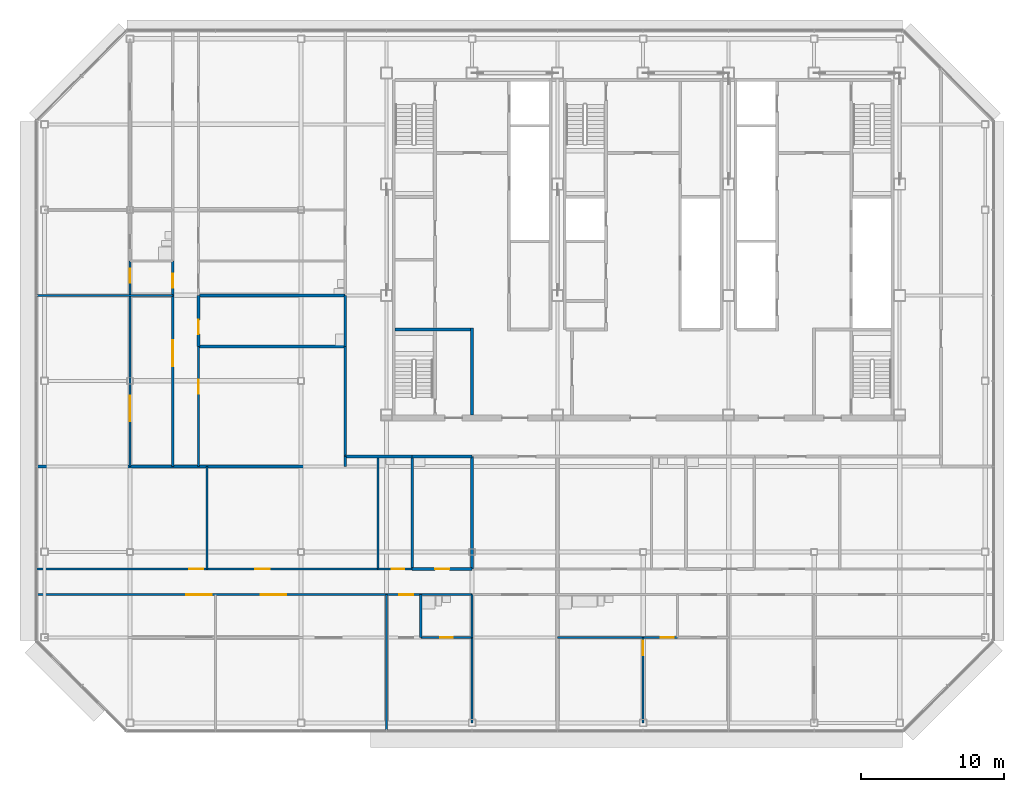
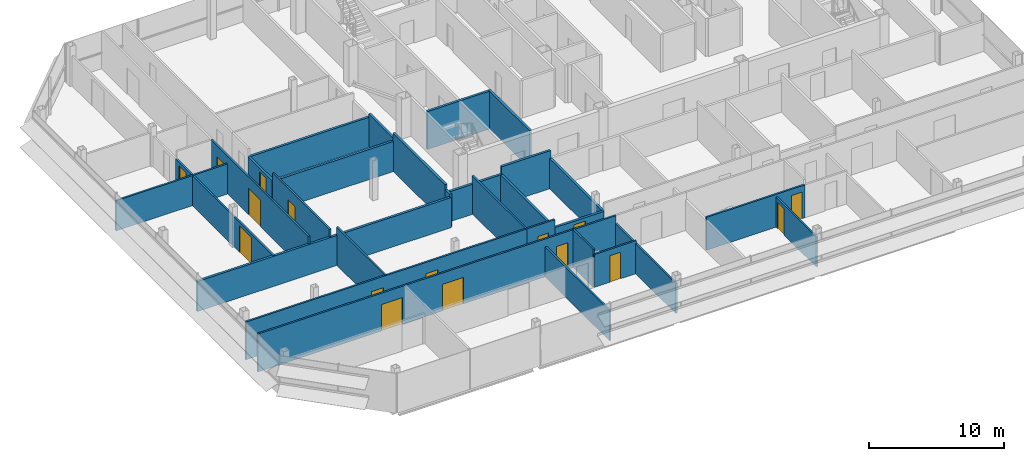
# One storey, part 21 of 27: 31 walls, 16 doors, 16 openings.
"""IFC4 building model written with IfcOpenShell, lengths in metres."""

from ifc_helpers import new_model, si_unit, direction, frame, frame_2d, origin, place, context, subcontext, project, spatial, rectangle, extrude, material, layer, layer_set, type_object, element, fill, save


model = new_model("IFC4")

# Units and contexts
model_context = context("Model", 3, precision=1e-05, world=origin(), true_north=direction((0.0, 1.0)))
body_context = subcontext(model_context, "Body", "Model", "MODEL_VIEW")
ifc_project = project(units=[si_unit("LENGTHUNIT", "METRE"), si_unit("AREAUNIT", "SQUARE_METRE"), si_unit("VOLUMEUNIT", "CUBIC_METRE"), si_unit("PLANEANGLEUNIT", "RADIAN"), si_unit("MASSUNIT", "GRAM", prefix="KILO")], contexts=[model_context])

# Site, building, storey
site_placement = place(None, origin())
site = spatial("IfcSite", under=ifc_project, at=site_placement, CompositionType="ELEMENT")
building_placement = place(site_placement, origin())
building = spatial("IfcBuilding", under=site, at=building_placement, Name="Sorahane Residences", CompositionType="ELEMENT")
storey_placement = place(building_placement, frame((0.0, 0.0, 323.199951171875)))
storey = spatial("IfcBuildingStorey", under=building, at=storey_placement, Name="L77", CompositionType="ELEMENT", Elevation=323.199951171875)

# Walls
ifc_material_1 = material(Name="Concrete blockwork C20 wall", Category="masonry")
ifc_layer_1 = layer(ifc_material_1, 0.199951171875)
ifc_layer_set_1 = layer_set([ifc_layer_1], Name="Corridor wall 200 EI 120")
wall_type_1 = type_object("IfcWallType", Name="Corridor wall 200 EI 120", PredefinedType="SOLIDWALL", material=ifc_layer_set_1)
wall_1_placement = place(storey_placement, frame((3.10009765625, 18.699951171875, 0.0), z_axis=(0.0, 0.0, 1.0), x_axis=(0.0, 1.0, 0.0)))
element("IfcWall", 1, at=wall_1_placement, inside=storey, type_object=wall_type_1, Name="L77 corridor wall", PredefinedType="SOLIDWALL", context=body_context, shape_type="SweptSolid", body=[
    extrude(rectangle(XDim=7.699951171875, YDim=0.199951171875, at=frame_2d((3.85009765625, 0.0))), origin(), (0.0, 0.0, 1.0), 3.420166015625),
])
wall_2_placement = place(storey_placement, frame((3.10009765625, 18.699951171875, 0.0), z_axis=(0.0, 0.0, 1.0), x_axis=(1.0, 0.0, 0.0)))
element("IfcWall", 2, at=wall_2_placement, inside=storey, type_object=wall_type_1, Name="L77 corridor wall", PredefinedType="SOLIDWALL", context=body_context, shape_type="SweptSolid", body=[
    extrude(rectangle(XDim=4.699951171875, YDim=0.199951171875, at=frame_2d((2.35009765625, 0.0))), origin(), (0.0, 0.0, 1.0), 2.719970703125),
])
ifc_material_2 = material(Name="Concrete C30", Category="concrete")
ifc_layer_2 = layer(ifc_material_2, 0.199951171875)
ifc_layer_set_2 = layer_set([ifc_layer_2], Name="Front room wall 200 EI 120")
wall_type_2 = type_object("IfcWallType", Name="Front room wall 200 EI 120", PredefinedType="PARTITIONING", material=ifc_layer_set_2)
wall_3_placement = place(storey_placement, frame((12.0, 21.60009765625, 0.0), z_axis=(0.0, 0.0, 1.0), x_axis=(0.0, 1.0, 0.0)))
element("IfcWall", 3, at=wall_3_placement, inside=storey, type_object=wall_type_2, Name="L77 front room wall", PredefinedType="PARTITIONING", context=body_context, shape_type="SweptSolid", body=[
    extrude(rectangle(XDim=6.099853515625, YDim=0.199951171875, at=frame_2d((3.0498046875, 0.0))), origin(), (0.0, 0.0, 1.0), 3.420166015625),
])

# Wall, opening, door
ifc_material_3 = material(Name="Concrete blockwork C20 wall", Category="masonry")
ifc_layer_3 = layer(ifc_material_3, 0.199951171875)
ifc_layer_set_3 = layer_set([ifc_layer_3], Name="Kitchen wall 200 EI 180")
wall_type_3 = type_object("IfcWallType", Name="Kitchen wall 200 EI 180", PredefinedType="SOLIDWALL", material=ifc_layer_set_3)
wall_4_placement = place(storey_placement, frame((-7.199951171875, 26.39990234375, 0.0), z_axis=(0.0, 0.0, 1.0), x_axis=(0.0, 1.0, 0.0)))
wall_4 = element("IfcWall", 4, at=wall_4_placement, inside=storey, type_object=wall_type_3, Name="L77 kitchen wall", PredefinedType="SOLIDWALL", context=body_context, shape_type="SweptSolid", body=[
    extrude(rectangle(XDim=3.60009765625, YDim=0.199951171875, at=frame_2d((1.800048828125, 0.0))), origin(), (0.0, 0.0, 1.0), 2.719970703125),
])
opening_1_placement = place(wall_4_placement, frame((0.8798828125, 0.0, 0.0)))
opening_1 = element("IfcOpeningElement", 5, at=opening_1_placement, cuts=wall_4, Name="Opening L77-28", PredefinedType="OPENING", context=body_context, shape_type="SweptSolid", body=[
    extrude(rectangle(XDim=1.0, YDim=2.39990234375, at=frame_2d((0.5, 1.199951171875))), frame((0.0, 0.10986328125, 0.0), z_axis=(0.0, -1.0, 0.0), x_axis=(1.0, 0.0, 0.0)), (0.0, 0.0, 1.0), 0.219970703125),
])
ifc_material_4 = material(Name="Steel", Category="steel")
door_type_1 = type_object("IfcDoorType", Name="Kitchen door 1000x2400 FD120", OperationType="NOTDEFINED", PredefinedType="DOOR", material=ifc_material_4)
door_1_placement = place(opening_1_placement, frame((1.0, 0.0, 0.0), z_axis=(0.0, 0.0, 1.0), x_axis=(-1.0, 0.0, 0.0)))
door_1 = element("IfcDoor", 6, at=door_1_placement, inside=storey, type_object=door_type_1, Name="Kitchen door L77-28", OperationType="SINGLE_SWING_LEFT", OverallHeight=2.39990234375, OverallWidth=1.0, PredefinedType="DOOR", context=body_context, shape_type="SweptSolid", body=[
    extrude(rectangle(XDim=1.0, YDim=2.39990234375, at=frame_2d((0.5, 1.199951171875))), frame((0.0, 0.02490234375, 0.0), z_axis=(0.0, -1.0, 0.0), x_axis=(1.0, 0.0, 0.0)), (0.0, 0.0, 1.0), 0.050048828125),
])
fill(opening_1, door_1)

# Walls
wall_5_placement = place(storey_placement, frame((12.0, 10.800048828125, 0.0), z_axis=(0.0, 0.0, 1.0), x_axis=(0.0, 1.0, 0.0)))
element("IfcWall", 7, at=wall_5_placement, inside=storey, type_object=wall_type_3, Name="L77 kitchen wall", PredefinedType="SOLIDWALL", context=body_context, shape_type="SweptSolid", body=[
    extrude(rectangle(XDim=7.89990234375, YDim=0.199951171875, at=frame_2d((3.949951171875, 0.0))), origin(), (0.0, 0.0, 1.0), 2.719970703125),
])
wall_6_placement = place(storey_placement, frame((3.10009765625, 26.39990234375, 0.0), z_axis=(0.0, 0.0, 1.0), x_axis=(0.0, 1.0, 0.0)))
element("IfcWall", 8, at=wall_6_placement, inside=storey, type_object=wall_type_3, Name="L77 kitchen wall", PredefinedType="SOLIDWALL", context=body_context, shape_type="SweptSolid", body=[
    extrude(rectangle(XDim=3.60009765625, YDim=0.199951171875, at=frame_2d((1.800048828125, 0.0))), origin(), (0.0, 0.0, 1.0), 2.969970703125),
])
wall_7_placement = place(storey_placement, frame((7.800048828125, 10.800048828125, 0.0), z_axis=(0.0, 0.0, 1.0), x_axis=(0.0, 1.0, 0.0)))
element("IfcWall", 9, at=wall_7_placement, inside=storey, type_object=wall_type_3, Name="L77 kitchen wall", PredefinedType="SOLIDWALL", context=body_context, shape_type="SweptSolid", body=[
    extrude(rectangle(XDim=7.89990234375, YDim=0.199951171875, at=frame_2d((3.949951171875, 0.0))), origin(), (0.0, 0.0, 1.0), 2.719970703125),
])

# Wall, opening, door
wall_8_placement = place(storey_placement, frame((7.800048828125, 10.800048828125, 0.0), z_axis=(0.0, 0.0, 1.0), x_axis=(1.0, 0.0, 0.0)))
wall_8 = element("IfcWall", 10, at=wall_8_placement, inside=storey, type_object=wall_type_3, Name="L77 kitchen wall", PredefinedType="SOLIDWALL", context=body_context, shape_type="SweptSolid", body=[
    extrude(rectangle(XDim=4.199951171875, YDim=0.199951171875, at=frame_2d((2.10009765625, 0.0))), origin(), (0.0, 0.0, 1.0), 2.719970703125),
])
opening_2_placement = place(wall_8_placement, frame((1.60009765625, 0.0, 0.0)))
opening_2 = element("IfcOpeningElement", 11, at=opening_2_placement, cuts=wall_8, Name="Opening L77-05", PredefinedType="OPENING", context=body_context, shape_type="SweptSolid", body=[
    extrude(rectangle(XDim=1.0, YDim=2.39990234375, at=frame_2d((0.5, 1.199951171875))), frame((0.0, 0.10986328125, 0.0), z_axis=(0.0, -1.0, 0.0), x_axis=(1.0, 0.0, 0.0)), (0.0, 0.0, 1.0), 0.219970703125),
])
door_2_placement = place(opening_2_placement, origin())
door_2 = element("IfcDoor", 12, at=door_2_placement, inside=storey, type_object=door_type_1, Name="Kitchen door L77-05", OperationType="SINGLE_SWING_LEFT", OverallHeight=2.39990234375, OverallWidth=1.0, PredefinedType="DOOR", context=body_context, shape_type="SweptSolid", body=[
    extrude(rectangle(XDim=1.0, YDim=2.39990234375, at=frame_2d((0.5, 1.199951171875))), frame((0.0, 0.02490234375, 0.0), z_axis=(0.0, -1.0, 0.0), x_axis=(1.0, 0.0, 0.0)), (0.0, 0.0, 1.0), 0.050048828125),
])
fill(opening_2, door_2)

# Walls
wall_9_placement = place(storey_placement, frame((7.800048828125, 18.699951171875, 0.0), z_axis=(0.0, 0.0, 1.0), x_axis=(1.0, 0.0, 0.0)))
element("IfcWall", 13, at=wall_9_placement, inside=storey, type_object=wall_type_3, Name="L77 kitchen wall", PredefinedType="SOLIDWALL", context=body_context, shape_type="SweptSolid", body=[
    extrude(rectangle(XDim=4.199951171875, YDim=0.199951171875, at=frame_2d((2.10009765625, 0.0))), origin(), (0.0, 0.0, 1.0), 3.420166015625),
])
for number, where, z_axis, x_axis, name in (
    (14, (-7.199951171875, 26.39990234375, 0.0), (0.0, 0.0, 1.0), (1.0, 0.0, 0.0), "L77 kitchen wall"),
    (15, (-7.199951171875, 30.0, 0.0), (0.0, 0.0, 1.0), (1.0, 0.0, 0.0), "L77 kitchen wall"),
):
    element("IfcWall", number, at=place(storey_placement, frame(where, z_axis=z_axis, x_axis=x_axis)), inside=storey, type_object=wall_type_3, Name=name, PredefinedType="SOLIDWALL", context=body_context, shape_type="SweptSolid", body=[
        extrude(rectangle(XDim=10.300048828125, YDim=0.199951171875, at=frame_2d((5.14990234375, 0.0))), origin(), (0.0, 0.0, 1.0), 2.719970703125),
    ])

# Wall, openings, doors
ifc_material_5 = material(Name="Gypsum board partition on steel studs", Category="steel")
ifc_layer_4 = layer(ifc_material_5, 0.14990234375)
ifc_layer_set_4 = layer_set([ifc_layer_4], Name="Partition 150 EI 90")
wall_type_4 = type_object("IfcWallType", Name="Partition 150 EI 90", PredefinedType="PARTITIONING", material=ifc_layer_set_4)
wall_10_placement = place(storey_placement, frame((-12.0, 18.0, 0.0), z_axis=(0.0, 0.0, 1.0), x_axis=(0.0, 1.0, 0.0)))
wall_10 = element("IfcWall", 16, at=wall_10_placement, inside=storey, type_object=wall_type_4, Name="L77 partition", PredefinedType="PARTITIONING", context=body_context, shape_type="SweptSolid", body=[
    extrude(rectangle(XDim=14.39990234375, YDim=0.14990234375, at=frame_2d((7.199951171875, 0.0))), origin(), (0.0, 0.0, 1.0), 2.719970703125),
])
opening_3_placement = place(wall_10_placement, frame((3.159912109375, 0.0, 0.0)))
opening_3 = element("IfcOpeningElement", 17, at=opening_3_placement, cuts=wall_10, Name="Opening L77-34", PredefinedType="OPENING", context=body_context, shape_type="SweptSolid", body=[
    extrude(rectangle(XDim=1.800048828125, YDim=2.39990234375, at=frame_2d((0.89990234375, 1.199951171875))), frame((0.0, 0.0849609375, 0.0), z_axis=(0.0, -1.0, 0.0), x_axis=(1.0, 0.0, 0.0)), (0.0, 0.0, 1.0), 0.169921875),
])
opening_4_placement = place(wall_10_placement, frame((12.8798828125, 0.0, 0.0)))
opening_4 = element("IfcOpeningElement", 18, at=opening_4_placement, cuts=wall_10, Name="Opening L77-35", PredefinedType="OPENING", context=body_context, shape_type="SweptSolid", body=[
    extrude(rectangle(XDim=1.0, YDim=2.39990234375, at=frame_2d((0.5, 1.199951171875))), frame((0.0, 0.0849609375, 0.0), z_axis=(0.0, -1.0, 0.0), x_axis=(1.0, 0.0, 0.0)), (0.0, 0.0, 1.0), 0.169921875),
])
ifc_material_6 = material(Name="Timber veneered fire door", Category="wood")
door_type_2 = type_object("IfcDoorType", Name="Double door 1800x2400 FD30", OperationType="NOTDEFINED", PredefinedType="DOOR", material=ifc_material_6)
door_3_placement = place(opening_3_placement, origin())
door_3 = element("IfcDoor", 19, at=door_3_placement, inside=storey, type_object=door_type_2, Name="Double door L77-34", OperationType="SINGLE_SWING_LEFT", OverallHeight=2.39990234375, OverallWidth=1.800048828125, PredefinedType="DOOR", context=body_context, shape_type="SweptSolid", body=[
    extrude(rectangle(XDim=1.800048828125, YDim=2.39990234375, at=frame_2d((0.89990234375, 1.199951171875))), frame((0.0, 0.02490234375, 0.0), z_axis=(0.0, -1.0, 0.0), x_axis=(1.0, 0.0, 0.0)), (0.0, 0.0, 1.0), 0.050048828125),
])
fill(opening_3, door_3)
ifc_material_7 = material(Name="Timber veneered fire door", Category="wood")
door_type_3 = type_object("IfcDoorType", Name="Room door 1000x2400 FD30", OperationType="NOTDEFINED", PredefinedType="DOOR", material=ifc_material_7)
door_4_placement = place(opening_4_placement, origin())
door_4 = element("IfcDoor", 20, at=door_4_placement, inside=storey, type_object=door_type_3, Name="Room door L77-35", OperationType="SINGLE_SWING_LEFT", OverallHeight=2.39990234375, OverallWidth=1.0, PredefinedType="DOOR", context=body_context, shape_type="SweptSolid", body=[
    extrude(rectangle(XDim=1.0, YDim=2.39990234375, at=frame_2d((0.5, 1.199951171875))), frame((0.0, 0.02490234375, 0.0), z_axis=(0.0, -1.0, 0.0), x_axis=(1.0, 0.0, 0.0)), (0.0, 0.0, 1.0), 0.050048828125),
])
fill(opening_4, door_4)

# Wall
wall_11_placement = place(storey_placement, frame((-6.60009765625, 10.800048828125, 0.0), z_axis=(0.0, 0.0, 1.0), x_axis=(0.0, 1.0, 0.0)))
element("IfcWall", 21, at=wall_11_placement, inside=storey, type_object=wall_type_4, Name="L77 partition", PredefinedType="PARTITIONING", context=body_context, shape_type="SweptSolid", body=[
    extrude(rectangle(XDim=7.199951171875, YDim=0.14990234375, at=frame_2d((3.60009765625, 0.0))), origin(), (0.0, 0.0, 1.0), 3.420166015625),
])

# Wall, opening, door
wall_12_placement = place(storey_placement, frame((-7.199951171875, 18.0, 0.0), z_axis=(0.0, 0.0, 1.0), x_axis=(0.0, 1.0, 0.0)))
wall_12 = element("IfcWall", 22, at=wall_12_placement, inside=storey, type_object=wall_type_4, Name="L77 partition", PredefinedType="PARTITIONING", context=body_context, shape_type="SweptSolid", body=[
    extrude(rectangle(XDim=8.39990234375, YDim=0.14990234375, at=frame_2d((4.199951171875, 0.0))), origin(), (0.0, 0.0, 1.0), 3.420166015625),
])
opening_5_placement = place(wall_12_placement, frame((5.080078125, 0.0, 0.0)))
opening_5 = element("IfcOpeningElement", 23, at=opening_5_placement, cuts=wall_12, Name="Opening L77-27", PredefinedType="OPENING", context=body_context, shape_type="SweptSolid", body=[
    extrude(rectangle(XDim=1.0, YDim=2.39990234375, at=frame_2d((0.5, 1.199951171875))), frame((0.0, 0.0849609375, 0.0), z_axis=(0.0, -1.0, 0.0), x_axis=(1.0, 0.0, 0.0)), (0.0, 0.0, 1.0), 0.169921875),
])
door_5_placement = place(opening_5_placement, frame((1.0, 0.0, 0.0), z_axis=(0.0, 0.0, 1.0), x_axis=(-1.0, 0.0, 0.0)))
door_5 = element("IfcDoor", 24, at=door_5_placement, inside=storey, type_object=door_type_3, Name="Room door L77-27", OperationType="SINGLE_SWING_RIGHT", OverallHeight=2.39990234375, OverallWidth=1.0, PredefinedType="DOOR", context=body_context, shape_type="SweptSolid", body=[
    extrude(rectangle(XDim=1.0, YDim=2.39990234375, at=frame_2d((0.5, 1.199951171875))), frame((0.0, 0.02490234375, 0.0), z_axis=(0.0, -1.0, 0.0), x_axis=(1.0, 0.0, 0.0)), (0.0, 0.0, 1.0), 0.050048828125),
])
fill(opening_5, door_5)

# Wall, openings, doors
wall_13_placement = place(storey_placement, frame((-9.0, 18.0, 0.0), z_axis=(0.0, 0.0, 1.0), x_axis=(0.0, 1.0, 0.0)))
wall_13 = element("IfcWall", 25, at=wall_13_placement, inside=storey, type_object=wall_type_4, Name="L77 partition", PredefinedType="PARTITIONING", context=body_context, shape_type="SweptSolid", body=[
    extrude(rectangle(XDim=14.39990234375, YDim=0.14990234375, at=frame_2d((7.199951171875, 0.0))), origin(), (0.0, 0.0, 1.0), 3.420166015625),
])
opening_6_placement = place(wall_13_placement, frame((7.0400390625, 0.0, 0.0)))
opening_6 = element("IfcOpeningElement", 26, at=opening_6_placement, cuts=wall_13, Name="Opening L77-31", PredefinedType="OPENING", context=body_context, shape_type="SweptSolid", body=[
    extrude(rectangle(XDim=1.800048828125, YDim=2.39990234375, at=frame_2d((0.89990234375, 1.199951171875))), frame((0.0, 0.0849609375, 0.0), z_axis=(0.0, -1.0, 0.0), x_axis=(1.0, 0.0, 0.0)), (0.0, 0.0, 1.0), 0.169921875),
])
opening_7_placement = place(wall_13_placement, frame((12.52001953125, 0.0, 0.0)))
opening_7 = element("IfcOpeningElement", 27, at=opening_7_placement, cuts=wall_13, Name="Opening L77-32", PredefinedType="OPENING", context=body_context, shape_type="SweptSolid", body=[
    extrude(rectangle(XDim=1.0, YDim=2.39990234375, at=frame_2d((0.5, 1.199951171875))), frame((0.0, 0.0849609375, 0.0), z_axis=(0.0, -1.0, 0.0), x_axis=(1.0, 0.0, 0.0)), (0.0, 0.0, 1.0), 0.169921875),
])
door_6_placement = place(opening_6_placement, origin())
door_6 = element("IfcDoor", 28, at=door_6_placement, inside=storey, type_object=door_type_2, Name="Double door L77-31", OperationType="SINGLE_SWING_LEFT", OverallHeight=2.39990234375, OverallWidth=1.800048828125, PredefinedType="DOOR", context=body_context, shape_type="SweptSolid", body=[
    extrude(rectangle(XDim=1.800048828125, YDim=2.39990234375, at=frame_2d((0.89990234375, 1.199951171875))), frame((0.0, 0.02490234375, 0.0), z_axis=(0.0, -1.0, 0.0), x_axis=(1.0, 0.0, 0.0)), (0.0, 0.0, 1.0), 0.050048828125),
])
fill(opening_6, door_6)
door_7_placement = place(opening_7_placement, origin())
door_7 = element("IfcDoor", 29, at=door_7_placement, inside=storey, type_object=door_type_3, Name="Room door L77-32", OperationType="SINGLE_SWING_RIGHT", OverallHeight=2.39990234375, OverallWidth=1.0, PredefinedType="DOOR", context=body_context, shape_type="SweptSolid", body=[
    extrude(rectangle(XDim=1.0, YDim=2.39990234375, at=frame_2d((0.5, 1.199951171875))), frame((0.0, 0.02490234375, 0.0), z_axis=(0.0, -1.0, 0.0), x_axis=(1.0, 0.0, 0.0)), (0.0, 0.0, 1.0), 0.050048828125),
])
fill(opening_7, door_7)

# Wall
wall_14_placement = place(storey_placement, frame((12.0, 0.0, 0.0), z_axis=(0.0, 0.0, 1.0), x_axis=(0.0, 1.0, 0.0)))
element("IfcWall", 30, at=wall_14_placement, inside=storey, type_object=wall_type_4, Name="L77 partition", PredefinedType="PARTITIONING", context=body_context, shape_type="SweptSolid", body=[
    extrude(rectangle(XDim=6.0, YDim=0.14990234375, at=frame_2d((3.0, 0.0))), origin(), (0.0, 0.0, 1.0), 2.719970703125),
])

# Wall, opening, door
wall_15_placement = place(storey_placement, frame((24.0, 0.0, 0.0), z_axis=(0.0, 0.0, 1.0), x_axis=(0.0, 1.0, 0.0)))
wall_15 = element("IfcWall", 31, at=wall_15_placement, inside=storey, type_object=wall_type_4, Name="L77 partition", PredefinedType="PARTITIONING", context=body_context, shape_type="SweptSolid", body=[
    extrude(rectangle(XDim=6.0, YDim=0.14990234375, at=frame_2d((3.0, 0.0))), origin(), (0.0, 0.0, 1.0), 2.719970703125),
])
opening_8_placement = place(wall_15_placement, frame((4.75, 0.0, 0.0)))
opening_8 = element("IfcOpeningElement", 32, at=opening_8_placement, cuts=wall_15, Name="Opening L77-24", PredefinedType="OPENING", context=body_context, shape_type="SweptSolid", body=[
    extrude(rectangle(XDim=1.0, YDim=2.39990234375, at=frame_2d((0.5, 1.199951171875))), frame((0.0, 0.0849609375, 0.0), z_axis=(0.0, -1.0, 0.0), x_axis=(1.0, 0.0, 0.0)), (0.0, 0.0, 1.0), 0.169921875),
])
door_8_placement = place(opening_8_placement, origin())
door_8 = element("IfcDoor", 33, at=door_8_placement, inside=storey, type_object=door_type_3, Name="Room door L77-24", OperationType="SINGLE_SWING_LEFT", OverallHeight=2.39990234375, OverallWidth=1.0, PredefinedType="DOOR", context=body_context, shape_type="SweptSolid", body=[
    extrude(rectangle(XDim=1.0, YDim=2.39990234375, at=frame_2d((0.5, 1.199951171875))), frame((0.0, 0.02490234375, 0.0), z_axis=(0.0, -1.0, 0.0), x_axis=(1.0, 0.0, 0.0)), (0.0, 0.0, 1.0), 0.050048828125),
])
fill(opening_8, door_8)

# Wall
wall_16_placement = place(storey_placement, frame((6.0, -0.60009765625, 0.0), z_axis=(0.0, 0.0, 1.0), x_axis=(0.0, 1.0, 0.0)))
element("IfcWall", 34, at=wall_16_placement, inside=storey, type_object=wall_type_4, Name="L77 partition", PredefinedType="PARTITIONING", context=body_context, shape_type="SweptSolid", body=[
    extrude(rectangle(XDim=9.60009765625, YDim=0.14990234375, at=frame_2d((4.800048828125, 0.0))), origin(), (0.0, 0.0, 1.0), 2.719970703125),
])

# Wall, openings, doors
wall_17_placement = place(storey_placement, frame((-18.60009765625, 10.800048828125, 0.0), z_axis=(0.0, 0.0, 1.0), x_axis=(1.0, 0.0, 0.0)))
wall_17 = element("IfcWall", 35, at=wall_17_placement, inside=storey, type_object=wall_type_4, Name="L77 partition", PredefinedType="PARTITIONING", context=body_context, shape_type="SweptSolid", body=[
    extrude(rectangle(XDim=24.0, YDim=0.14990234375, at=frame_2d((12.0, 0.0))), origin(), (0.0, 0.0, 1.0), 3.420166015625),
])
opening_9_placement = place(wall_17_placement, frame((10.75, 0.0, 0.0)))
opening_9 = element("IfcOpeningElement", 36, at=opening_9_placement, cuts=wall_17, Name="Opening L77-02", PredefinedType="OPENING", context=body_context, shape_type="SweptSolid", body=[
    extrude(rectangle(XDim=1.0, YDim=2.39990234375, at=frame_2d((0.5, 1.199951171875))), frame((0.0, 0.0849609375, 0.0), z_axis=(0.0, -1.0, 0.0), x_axis=(1.0, 0.0, 0.0)), (0.0, 0.0, 1.0), 0.169921875),
])
opening_10_placement = place(wall_17_placement, frame((15.39990234375, 0.0, 0.0)))
opening_10 = element("IfcOpeningElement", 37, at=opening_10_placement, cuts=wall_17, Name="Opening L77-03", PredefinedType="OPENING", context=body_context, shape_type="SweptSolid", body=[
    extrude(rectangle(XDim=1.0, YDim=2.39990234375, at=frame_2d((0.5, 1.199951171875))), frame((0.0, 0.0849609375, 0.0), z_axis=(0.0, -1.0, 0.0), x_axis=(1.0, 0.0, 0.0)), (0.0, 0.0, 1.0), 0.169921875),
])
door_9_placement = place(opening_9_placement, origin())
door_9 = element("IfcDoor", 38, at=door_9_placement, inside=storey, type_object=door_type_3, Name="Room door L77-02", OperationType="SINGLE_SWING_RIGHT", OverallHeight=2.39990234375, OverallWidth=1.0, PredefinedType="DOOR", context=body_context, shape_type="SweptSolid", body=[
    extrude(rectangle(XDim=1.0, YDim=2.39990234375, at=frame_2d((0.5, 1.199951171875))), frame((0.0, 0.02490234375, 0.0), z_axis=(0.0, -1.0, 0.0), x_axis=(1.0, 0.0, 0.0)), (0.0, 0.0, 1.0), 0.050048828125),
])
fill(opening_9, door_9)
door_10_placement = place(opening_10_placement, origin())
door_10 = element("IfcDoor", 39, at=door_10_placement, inside=storey, type_object=door_type_3, Name="Room door L77-03", OperationType="SINGLE_SWING_LEFT", OverallHeight=2.39990234375, OverallWidth=1.0, PredefinedType="DOOR", context=body_context, shape_type="SweptSolid", body=[
    extrude(rectangle(XDim=1.0, YDim=2.39990234375, at=frame_2d((0.5, 1.199951171875))), frame((0.0, 0.02490234375, 0.0), z_axis=(0.0, -1.0, 0.0), x_axis=(1.0, 0.0, 0.0)), (0.0, 0.0, 1.0), 0.050048828125),
])
fill(opening_10, door_10)

# Wall
wall_18_placement = place(storey_placement, frame((-18.60009765625, 30.0, 0.0), z_axis=(0.0, 0.0, 1.0), x_axis=(1.0, 0.0, 0.0)))
element("IfcWall", 40, at=wall_18_placement, inside=storey, type_object=wall_type_4, Name="L77 partition", PredefinedType="PARTITIONING", context=body_context, shape_type="SweptSolid", body=[
    extrude(rectangle(XDim=9.60009765625, YDim=0.14990234375, at=frame_2d((4.800048828125, 0.0))), origin(), (0.0, 0.0, 1.0), 2.719970703125),
])

# Wall, openings, doors
wall_19_placement = place(storey_placement, frame((-18.60009765625, 9.0, 0.0), z_axis=(0.0, 0.0, 1.0), x_axis=(1.0, 0.0, 0.0)))
wall_19 = element("IfcWall", 41, at=wall_19_placement, inside=storey, type_object=wall_type_4, Name="L77 partition", PredefinedType="PARTITIONING", context=body_context, shape_type="SweptSolid", body=[
    extrude(rectangle(XDim=27.0, YDim=0.14990234375, at=frame_2d((13.5, 0.0))), origin(), (0.0, 0.0, 1.0), 3.420166015625),
])
opening_11_placement = place(wall_19_placement, frame((10.550048828125, 0.0, 0.0)))
opening_11 = element("IfcOpeningElement", 42, at=opening_11_placement, cuts=wall_19, Name="Opening L77-06", PredefinedType="OPENING", context=body_context, shape_type="SweptSolid", body=[
    extrude(rectangle(XDim=1.800048828125, YDim=2.39990234375, at=frame_2d((0.89990234375, 1.199951171875))), frame((0.0, 0.0849609375, 0.0), z_axis=(0.0, -1.0, 0.0), x_axis=(1.0, 0.0, 0.0)), (0.0, 0.0, 1.0), 0.169921875),
])
opening_12_placement = place(wall_19_placement, frame((15.760009765625, 0.0, 0.0)))
opening_12 = element("IfcOpeningElement", 43, at=opening_12_placement, cuts=wall_19, Name="Opening L77-07", PredefinedType="OPENING", context=body_context, shape_type="SweptSolid", body=[
    extrude(rectangle(XDim=1.800048828125, YDim=2.39990234375, at=frame_2d((0.89990234375, 1.199951171875))), frame((0.0, 0.0849609375, 0.0), z_axis=(0.0, -1.0, 0.0), x_axis=(1.0, 0.0, 0.0)), (0.0, 0.0, 1.0), 0.169921875),
])
opening_13_placement = place(wall_19_placement, frame((25.47998046875, 0.0, 0.0)))
opening_13 = element("IfcOpeningElement", 44, at=opening_13_placement, cuts=wall_19, Name="Opening L77-08", PredefinedType="OPENING", context=body_context, shape_type="SweptSolid", body=[
    extrude(rectangle(XDim=1.0, YDim=2.39990234375, at=frame_2d((0.5, 1.199951171875))), frame((0.0, 0.0849609375, 0.0), z_axis=(0.0, -1.0, 0.0), x_axis=(1.0, 0.0, 0.0)), (0.0, 0.0, 1.0), 0.169921875),
])
door_11_placement = place(opening_11_placement, frame((1.800048828125, 0.0, 0.0), z_axis=(0.0, 0.0, 1.0), x_axis=(-1.0, 0.0, 0.0)))
door_11 = element("IfcDoor", 45, at=door_11_placement, inside=storey, type_object=door_type_2, Name="Double door L77-06", OperationType="SINGLE_SWING_LEFT", OverallHeight=2.39990234375, OverallWidth=1.800048828125, PredefinedType="DOOR", context=body_context, shape_type="SweptSolid", body=[
    extrude(rectangle(XDim=1.800048828125, YDim=2.39990234375, at=frame_2d((0.89990234375, 1.199951171875))), frame((0.0, 0.02490234375, 0.0), z_axis=(0.0, -1.0, 0.0), x_axis=(1.0, 0.0, 0.0)), (0.0, 0.0, 1.0), 0.050048828125),
])
fill(opening_11, door_11)
door_12_placement = place(opening_12_placement, frame((1.800048828125, 0.0, 0.0), z_axis=(0.0, 0.0, 1.0), x_axis=(-1.0, 0.0, 0.0)))
door_12 = element("IfcDoor", 46, at=door_12_placement, inside=storey, type_object=door_type_2, Name="Double door L77-07", OperationType="SINGLE_SWING_LEFT", OverallHeight=2.39990234375, OverallWidth=1.800048828125, PredefinedType="DOOR", context=body_context, shape_type="SweptSolid", body=[
    extrude(rectangle(XDim=1.800048828125, YDim=2.39990234375, at=frame_2d((0.89990234375, 1.199951171875))), frame((0.0, 0.02490234375, 0.0), z_axis=(0.0, -1.0, 0.0), x_axis=(1.0, 0.0, 0.0)), (0.0, 0.0, 1.0), 0.050048828125),
])
fill(opening_12, door_12)
door_13_placement = place(opening_13_placement, frame((1.0, 0.0, 0.0), z_axis=(0.0, 0.0, 1.0), x_axis=(-1.0, 0.0, 0.0)))
door_13 = element("IfcDoor", 47, at=door_13_placement, inside=storey, type_object=door_type_3, Name="Room door L77-08", OperationType="SINGLE_SWING_LEFT", OverallHeight=2.39990234375, OverallWidth=1.0, PredefinedType="DOOR", context=body_context, shape_type="SweptSolid", body=[
    extrude(rectangle(XDim=1.0, YDim=2.39990234375, at=frame_2d((0.5, 1.199951171875))), frame((0.0, 0.02490234375, 0.0), z_axis=(0.0, -1.0, 0.0), x_axis=(1.0, 0.0, 0.0)), (0.0, 0.0, 1.0), 0.050048828125),
])
fill(opening_13, door_13)

# Walls
ifc_material_8 = material(Name="Concrete blockwork C20 wall", Category="masonry")
ifc_layer_5 = layer(ifc_material_8, 0.199951171875)
ifc_layer_set_5 = layer_set([ifc_layer_5], Name="Party wall 200 EI 120")
wall_type_5 = type_object("IfcWallType", Name="Party wall 200 EI 120", PredefinedType="SOLIDWALL", material=ifc_layer_set_5)
wall_20_placement = place(storey_placement, frame((3.10009765625, 18.0, 0.0), z_axis=(0.0, 0.0, 1.0), x_axis=(0.0, 1.0, 0.0)))
element("IfcWall", 48, at=wall_20_placement, inside=storey, type_object=wall_type_5, Name="L77 party wall", PredefinedType="SOLIDWALL", context=body_context, shape_type="SweptSolid", body=[
    extrude(rectangle(XDim=0.699951171875, YDim=0.199951171875, at=frame_2d((0.35009765625, 0.0))), origin(), (0.0, 0.0, 1.0), 2.969970703125),
])
wall_21_placement = place(storey_placement, frame((-18.60009765625, 18.0, 0.0), z_axis=(0.0, 0.0, 1.0), x_axis=(1.0, 0.0, 0.0)))
element("IfcWall", 49, at=wall_21_placement, inside=storey, type_object=wall_type_5, Name="L77 party wall", PredefinedType="SOLIDWALL", context=body_context, shape_type="SweptSolid", body=[
    extrude(rectangle(XDim=21.7001953125, YDim=0.199951171875, at=frame_2d((10.85009765625, 0.0))), origin(), (0.0, 0.0, 1.0), 2.719970703125),
])
ifc_material_9 = material(Name="Concrete C30", Category="concrete")
ifc_layer_6 = layer(ifc_material_9, 0.199951171875)
ifc_layer_set_6 = layer_set([ifc_layer_6], Name="Stair enclosure wall 200 EI 120")
wall_type_6 = type_object("IfcWallType", Name="Stair enclosure wall 200 EI 120", PredefinedType="SOLIDWALL", material=ifc_layer_set_6)
wall_22_placement = place(storey_placement, frame((6.60009765625, 27.60009765625, 0.0), z_axis=(0.0, 0.0, 1.0), x_axis=(1.0, 0.0, 0.0)))
element("IfcWall", 50, at=wall_22_placement, inside=storey, type_object=wall_type_6, Name="L77 stair enclosure wall", PredefinedType="SOLIDWALL", context=body_context, shape_type="SweptSolid", body=[
    extrude(rectangle(XDim=5.2998046875, YDim=0.199951171875, at=frame_2d((2.64990234375, 0.0))), origin(), (0.0, 0.0, 1.0), 3.420166015625),
])
ifc_material_10 = material(Name="Gypsum board partition on steel studs", Category="steel")
ifc_layer_7 = layer(ifc_material_10, 0.14990234375)
ifc_layer_set_7 = layer_set([ifc_layer_7], Name="Wet wall 150 EI 90")
wall_type_7 = type_object("IfcWallType", Name="Wet wall 150 EI 90", PredefinedType="PARTITIONING", material=ifc_layer_set_7)
wall_23_placement = place(storey_placement, frame((12.0, 6.0, 0.0), z_axis=(0.0, 0.0, 1.0), x_axis=(0.0, 1.0, 0.0)))
element("IfcWall", 51, at=wall_23_placement, inside=storey, type_object=wall_type_7, Name="L77 wet wall", PredefinedType="PARTITIONING", context=body_context, shape_type="SweptSolid", body=[
    extrude(rectangle(XDim=3.0, YDim=0.14990234375, at=frame_2d((1.5, 0.0))), origin(), (0.0, 0.0, 1.0), 2.719970703125),
])
wall_24_placement = place(storey_placement, frame((5.39990234375, 10.800048828125, 0.0), z_axis=(0.0, 0.0, 1.0), x_axis=(0.0, 1.0, 0.0)))
element("IfcWall", 52, at=wall_24_placement, inside=storey, type_object=wall_type_7, Name="L77 wet wall", PredefinedType="PARTITIONING", context=body_context, shape_type="SweptSolid", body=[
    extrude(rectangle(XDim=7.89990234375, YDim=0.14990234375, at=frame_2d((3.949951171875, 0.0))), origin(), (0.0, 0.0, 1.0), 3.420166015625),
])
wall_25_placement = place(storey_placement, frame((8.39990234375, 6.0, 0.0), z_axis=(0.0, 0.0, 1.0), x_axis=(0.0, 1.0, 0.0)))
element("IfcWall", 53, at=wall_25_placement, inside=storey, type_object=wall_type_7, Name="L77 wet wall", PredefinedType="PARTITIONING", context=body_context, shape_type="SweptSolid", body=[
    extrude(rectangle(XDim=3.0, YDim=0.14990234375, at=frame_2d((1.5, 0.0))), origin(), (0.0, 0.0, 1.0), 3.420166015625),
])

# Wall, opening, door
wall_26_placement = place(storey_placement, frame((5.39990234375, 10.800048828125, 0.0), z_axis=(0.0, 0.0, 1.0), x_axis=(1.0, 0.0, 0.0)))
wall_26 = element("IfcWall", 54, at=wall_26_placement, inside=storey, type_object=wall_type_7, Name="L77 wet wall", PredefinedType="PARTITIONING", context=body_context, shape_type="SweptSolid", body=[
    extrude(rectangle(XDim=2.400146484375, YDim=0.14990234375, at=frame_2d((1.2001953125, 0.0))), origin(), (0.0, 0.0, 1.0), 3.420166015625),
])
opening_14_placement = place(wall_26_placement, frame((0.949951171875, 0.0, 0.0)))
opening_14 = element("IfcOpeningElement", 55, at=opening_14_placement, cuts=wall_26, Name="Opening L77-04", PredefinedType="OPENING", context=body_context, shape_type="SweptSolid", body=[
    extrude(rectangle(XDim=0.89990234375, YDim=2.39990234375, at=frame_2d((0.449951171875, 1.199951171875))), frame((0.0, 0.0849609375, 0.0), z_axis=(0.0, -1.0, 0.0), x_axis=(1.0, 0.0, 0.0)), (0.0, 0.0, 1.0), 0.169921875),
])
ifc_material_11 = material(Name="Timber veneered fire door", Category="wood")
door_type_4 = type_object("IfcDoorType", Name="Bathroom door 900x2400 FD30", OperationType="NOTDEFINED", PredefinedType="DOOR", material=ifc_material_11)
door_14_placement = place(opening_14_placement, frame((0.89990234375, 0.0, 0.0), z_axis=(0.0, 0.0, 1.0), x_axis=(-1.0, 0.0, 0.0)))
door_14 = element("IfcDoor", 56, at=door_14_placement, inside=storey, type_object=door_type_4, Name="Bathroom door L77-04", OperationType="SINGLE_SWING_RIGHT", OverallHeight=2.39990234375, OverallWidth=0.89990234375, PredefinedType="DOOR", context=body_context, shape_type="SweptSolid", body=[
    extrude(rectangle(XDim=0.89990234375, YDim=2.39990234375, at=frame_2d((0.449951171875, 1.199951171875))), frame((0.0, 0.02490234375, 0.0), z_axis=(0.0, -1.0, 0.0), x_axis=(1.0, 0.0, 0.0)), (0.0, 0.0, 1.0), 0.050048828125),
])
fill(opening_14, door_14)

wall_27_placement = place(storey_placement, frame((8.39990234375, 6.0, 0.0), z_axis=(0.0, 0.0, 1.0), x_axis=(1.0, 0.0, 0.0)))
wall_27 = element("IfcWall", 57, at=wall_27_placement, inside=storey, type_object=wall_type_7, Name="L77 wet wall", PredefinedType="PARTITIONING", context=body_context, shape_type="SweptSolid", body=[
    extrude(rectangle(XDim=3.60009765625, YDim=0.14990234375, at=frame_2d((1.800048828125, 0.0))), origin(), (0.0, 0.0, 1.0), 2.969970703125),
])
opening_15_placement = place(wall_27_placement, frame((1.35009765625, 0.0, 0.0)))
opening_15 = element("IfcOpeningElement", 58, at=opening_15_placement, cuts=wall_27, Name="Opening L77-13", PredefinedType="OPENING", context=body_context, shape_type="SweptSolid", body=[
    extrude(rectangle(XDim=0.89990234375, YDim=2.39990234375, at=frame_2d((0.449951171875, 1.199951171875))), frame((0.0, 0.0849609375, 0.0), z_axis=(0.0, -1.0, 0.0), x_axis=(1.0, 0.0, 0.0)), (0.0, 0.0, 1.0), 0.169921875),
])
door_15_placement = place(opening_15_placement, frame((0.89990234375, 0.0, 0.0), z_axis=(0.0, 0.0, 1.0), x_axis=(-1.0, 0.0, 0.0)))
door_15 = element("IfcDoor", 59, at=door_15_placement, inside=storey, type_object=door_type_4, Name="Bathroom door L77-13", OperationType="SINGLE_SWING_LEFT", OverallHeight=2.39990234375, OverallWidth=0.89990234375, PredefinedType="DOOR", context=body_context, shape_type="SweptSolid", body=[
    extrude(rectangle(XDim=0.89990234375, YDim=2.39990234375, at=frame_2d((0.449951171875, 1.199951171875))), frame((0.0, 0.02490234375, 0.0), z_axis=(0.0, -1.0, 0.0), x_axis=(1.0, 0.0, 0.0)), (0.0, 0.0, 1.0), 0.050048828125),
])
fill(opening_15, door_15)

wall_28_placement = place(storey_placement, frame((18.0, 6.0, 0.0), z_axis=(0.0, 0.0, 1.0), x_axis=(1.0, 0.0, 0.0)))
wall_28 = element("IfcWall", 60, at=wall_28_placement, inside=storey, type_object=wall_type_7, Name="L77 wet wall", PredefinedType="PARTITIONING", context=body_context, shape_type="SweptSolid", body=[
    extrude(rectangle(XDim=8.39990234375, YDim=0.14990234375, at=frame_2d((4.199951171875, 0.0))), origin(), (0.0, 0.0, 1.0), 2.969970703125),
])
opening_16_placement = place(wall_28_placement, frame((7.25, 0.0, 0.0)))
opening_16 = element("IfcOpeningElement", 61, at=opening_16_placement, cuts=wall_28, Name="Opening L77-25", PredefinedType="OPENING", context=body_context, shape_type="SweptSolid", body=[
    extrude(rectangle(XDim=0.89990234375, YDim=2.39990234375, at=frame_2d((0.449951171875, 1.199951171875))), frame((0.0, 0.0849609375, 0.0), z_axis=(0.0, -1.0, 0.0), x_axis=(1.0, 0.0, 0.0)), (0.0, 0.0, 1.0), 0.169921875),
])
door_16_placement = place(opening_16_placement, frame((0.89990234375, 0.0, 0.0), z_axis=(0.0, 0.0, 1.0), x_axis=(-1.0, 0.0, 0.0)))
door_16 = element("IfcDoor", 62, at=door_16_placement, inside=storey, type_object=door_type_4, Name="Bathroom door L77-25", OperationType="SINGLE_SWING_LEFT", OverallHeight=2.39990234375, OverallWidth=0.89990234375, PredefinedType="DOOR", context=body_context, shape_type="SweptSolid", body=[
    extrude(rectangle(XDim=0.89990234375, YDim=2.39990234375, at=frame_2d((0.449951171875, 1.199951171875))), frame((0.0, 0.02490234375, 0.0), z_axis=(0.0, -1.0, 0.0), x_axis=(1.0, 0.0, 0.0)), (0.0, 0.0, 1.0), 0.050048828125),
])
fill(opening_16, door_16)

# Wall
wall_29_placement = place(storey_placement, frame((8.39990234375, 9.0, 0.0), z_axis=(0.0, 0.0, 1.0), x_axis=(1.0, 0.0, 0.0)))
element("IfcWall", 63, at=wall_29_placement, inside=storey, type_object=wall_type_7, Name="L77 wet wall", PredefinedType="PARTITIONING", context=body_context, shape_type="SweptSolid", body=[
    extrude(rectangle(XDim=3.60009765625, YDim=0.14990234375, at=frame_2d((1.800048828125, 0.0))), origin(), (0.0, 0.0, 1.0), 3.420166015625),
])

save(model, "model.ifc")
